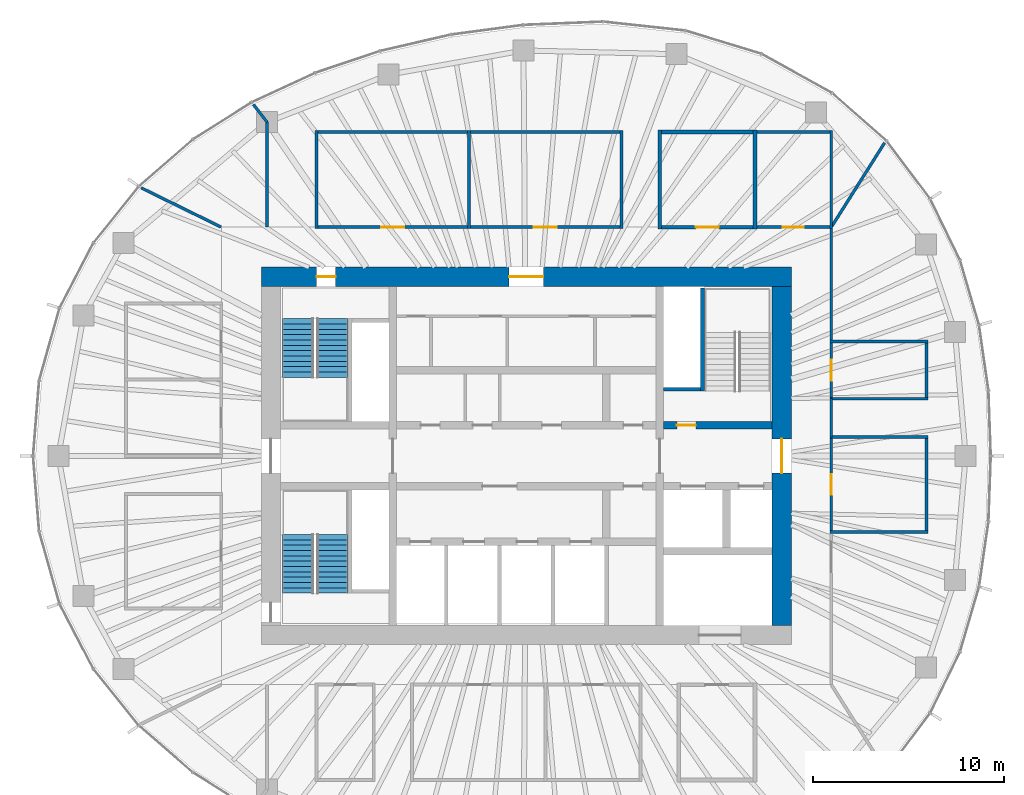
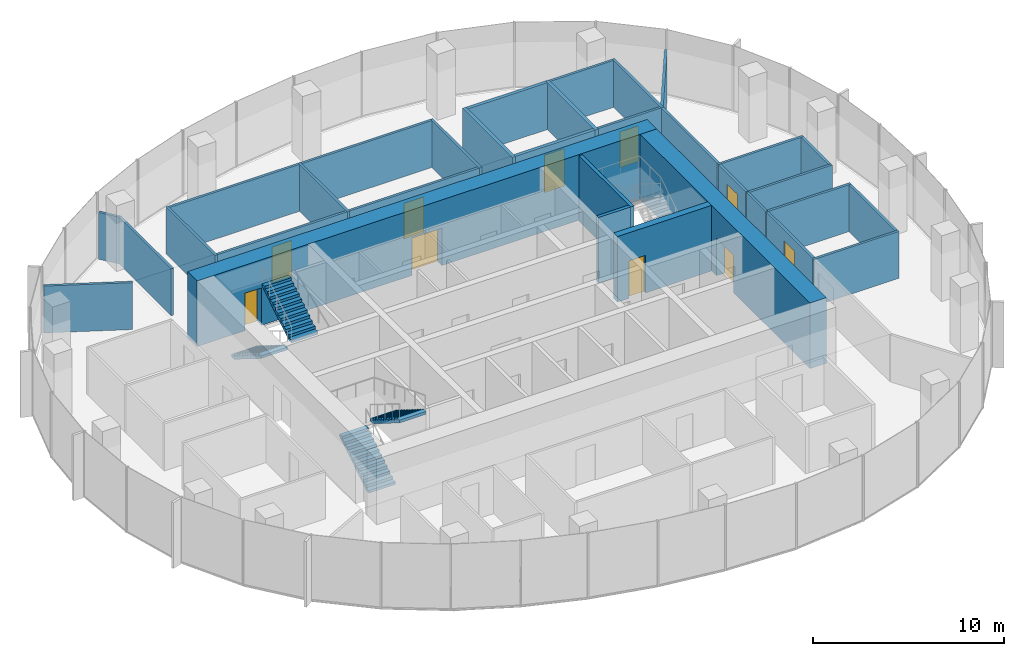
# One storey, part 10 of 12: 33 walls, 10 doors, 4 stair flights, 10 openings, 2 elements without a shape of their own.
"""IFC4 building model written with IfcOpenShell, lengths in metres."""

from ifc_helpers import new_model, si_unit, direction, frame, frame_2d, origin, place, context, subcontext, project, spatial, polyline, rectangle, outline, extrude, material, layer, layer_set, type_object, element, fill, aggregate, save


model = new_model("IFC4")

# Units and contexts
model_context = context("Model", 3, precision=1e-05, world=origin(), true_north=direction((0.0, 1.0)))
body_context = subcontext(model_context, "Body", "Model", "MODEL_VIEW")
ifc_project = project(units=[si_unit("LENGTHUNIT", "METRE"), si_unit("AREAUNIT", "SQUARE_METRE"), si_unit("VOLUMEUNIT", "CUBIC_METRE"), si_unit("PLANEANGLEUNIT", "RADIAN"), si_unit("MASSUNIT", "GRAM", prefix="KILO")], contexts=[model_context])

# Site, building, storey
site_placement = place(None, origin())
site = spatial("IfcSite", under=ifc_project, at=site_placement, CompositionType="ELEMENT")
building_placement = place(site_placement, origin())
building = spatial("IfcBuilding", under=site, at=building_placement, Name="Ghaith Harvest Tower", CompositionType="ELEMENT")
storey_placement = place(building_placement, frame((0.0, 0.0, 300.60009765625)))
storey = spatial("IfcBuildingStorey", under=building, at=storey_placement, Name="L67", CompositionType="ELEMENT", Elevation=300.60009765625)

# Walls
ifc_material_1 = material(Name="Twin-stud gypsum board, acoustic", Category="gypsum")
ifc_layer_1 = layer(ifc_material_1, 0.199951171875)
ifc_layer_set_1 = layer_set([ifc_layer_1], Name="ACOUSTIC PARTITION 200")
wall_type_1 = type_object("IfcWallType", Name="ACOUSTIC PARTITION 200", PredefinedType="PARTITIONING", material=ifc_layer_set_1)
for number, where, z_axis, x_axis, name in (
    (1, (7.0, 11.89990234375, 0.0), (0.0, 0.0, 1.0), (0.0, 1.0, 0.0), "Partition L67 row N2 cross wall 1"),
    (2, (12.0, 11.89990234375, 0.0), (0.0, 0.0, 1.0), (0.0, 1.0, 0.0), "Partition L67 row N2 cross wall 2"),
):
    element("IfcWall", number, at=place(storey_placement, frame(where, z_axis=z_axis, x_axis=x_axis)), inside=storey, type_object=wall_type_1, Name=name, PredefinedType="PARTITIONING", context=body_context, shape_type="SweptSolid", body=[
        extrude(rectangle(XDim=5.2001953125, YDim=0.199951171875, at=frame_2d((2.60009765625, 0.0))), origin(), (0.0, 0.0, 1.0), 3.0),
    ])

# Wall, opening, door
wall_1_placement = place(storey_placement, frame((7.10009765625, 12.0, 0.0), z_axis=(0.0, 0.0, 1.0), x_axis=(1.0, 0.0, 0.0)))
wall_1 = element("IfcWall", 3, at=wall_1_placement, inside=storey, type_object=wall_type_1, Name="Partition L67-03", PredefinedType="PARTITIONING", context=body_context, shape_type="SweptSolid", body=[
    extrude(rectangle(XDim=4.7998046875, YDim=0.199951171875, at=frame_2d((2.39990234375, 0.0))), origin(), (0.0, 0.0, 1.0), 3.0),
])
opening_1_placement = place(wall_1_placement, frame((1.800048828125, 0.0, 0.0)))
opening_1 = element("IfcOpeningElement", 4, at=opening_1_placement, cuts=wall_1, Name="Opening 67-028", PredefinedType="OPENING", context=body_context, shape_type="SweptSolid", body=[
    extrude(rectangle(XDim=1.199951171875, YDim=2.39990234375, at=frame_2d((0.60009765625, 1.199951171875))), frame((0.0, 0.10986328125, 0.0), z_axis=(0.0, -1.0, 0.0), x_axis=(1.0, 0.0, 0.0)), (0.0, 0.0, 1.0), 0.219970703125),
])
ifc_material_2 = material(Name="Timber door", Category="wood")
door_type_1 = type_object("IfcDoorType", Name="D11 GLAZED 1200x2400", OperationType="SINGLE_SWING_LEFT", PredefinedType="DOOR", material=ifc_material_2)
door_1_placement = place(opening_1_placement, origin())
door_1 = element("IfcDoor", 5, at=door_1_placement, inside=storey, type_object=door_type_1, Name="Meeting room door", OperationType="SINGLE_SWING_LEFT", OverallHeight=2.39990234375, OverallWidth=1.199951171875, PredefinedType="DOOR", context=body_context, shape_type="SweptSolid", body=[
    extrude(rectangle(XDim=1.199951171875, YDim=2.39990234375, at=frame_2d((0.60009765625, 1.199951171875))), frame((0.0, 0.02490234375, 0.0), z_axis=(0.0, -1.0, 0.0), x_axis=(1.0, 0.0, 0.0)), (0.0, 0.0, 1.0), 0.050048828125),
])
fill(opening_1, door_1)

# Wall
wall_2_placement = place(storey_placement, frame((7.10009765625, 17.0, 0.0), z_axis=(0.0, 0.0, 1.0), x_axis=(1.0, 0.0, 0.0)))
element("IfcWall", 6, at=wall_2_placement, inside=storey, type_object=wall_type_1, Name="Partition L67-03", PredefinedType="PARTITIONING", context=body_context, shape_type="SweptSolid", body=[
    extrude(rectangle(XDim=4.7998046875, YDim=0.199951171875, at=frame_2d((2.39990234375, 0.0))), origin(), (0.0, 0.0, 1.0), 3.0),
])

# Wall, openings, doors
ifc_material_3 = material(Name="Concrete C50/60", Category="concrete")
ifc_layer_2 = layer(ifc_material_3, 1.0)
ifc_layer_set_2 = layer_set([ifc_layer_2], Name="CORE WALL CW1000")
wall_type_2 = type_object("IfcWallType", Name="CORE WALL CW1000", PredefinedType="SHEAR", material=ifc_layer_set_2)
wall_3_placement = place(storey_placement, frame((13.89990234375, 9.39990234375, 0.0), z_axis=(0.0, 0.0, 1.0), x_axis=(-1.0, 0.0, 0.0)))
wall_3 = element("IfcWall", 7, at=wall_3_placement, inside=storey, type_object=wall_type_2, Name="Core wall N L67", PredefinedType="SHEAR", context=body_context, shape_type="SweptSolid", body=[
    extrude(rectangle(XDim=27.7998046875, YDim=1.0, at=frame_2d((13.89990234375, 0.0))), origin(), (0.0, 0.0, 1.0), 4.199951171875),
])
opening_2_placement = place(wall_3_placement, frame((23.89990234375, 0.0, 0.0)))
opening_2 = element("IfcOpeningElement", 8, at=opening_2_placement, cuts=wall_3, Name="Opening 67-005", PredefinedType="OPENING", context=body_context, shape_type="SweptSolid", body=[
    extrude(rectangle(XDim=1.0, YDim=2.39990234375, at=frame_2d((0.5, 1.199951171875))), frame((0.0, 0.510009765625, 0.0), z_axis=(0.0, -1.0, 0.0), x_axis=(1.0, 0.0, 0.0)), (0.0, 0.0, 1.0), 1.02001953125),
])
opening_3_placement = place(wall_3_placement, frame((13.0, 0.0, 0.0)))
opening_3 = element("IfcOpeningElement", 9, at=opening_3_placement, cuts=wall_3, Name="Opening 67-018", PredefinedType="OPENING", context=body_context, shape_type="SweptSolid", body=[
    extrude(rectangle(XDim=1.800048828125, YDim=2.39990234375, at=frame_2d((0.89990234375, 1.199951171875))), frame((0.0, 0.510009765625, 0.0), z_axis=(0.0, -1.0, 0.0), x_axis=(1.0, 0.0, 0.0)), (0.0, 0.0, 1.0), 1.02001953125),
])
ifc_material_4 = material(Name="Steel fire door", Category="steel")
door_type_2 = type_object("IfcDoorType", Name="D3 FD90 1000x2400", OperationType="SINGLE_SWING_LEFT", PredefinedType="DOOR", material=ifc_material_4)
door_2_placement = place(opening_2_placement, origin())
door_2 = element("IfcDoor", 10, at=door_2_placement, inside=storey, type_object=door_type_2, Name="Stair ST1 door", OperationType="SINGLE_SWING_RIGHT", OverallHeight=2.39990234375, OverallWidth=1.0, PredefinedType="DOOR", context=body_context, shape_type="SweptSolid", body=[
    extrude(rectangle(XDim=1.0, YDim=2.39990234375, at=frame_2d((0.5, 1.199951171875))), frame((0.0, 0.02490234375, 0.0), z_axis=(0.0, -1.0, 0.0), x_axis=(1.0, 0.0, 0.0)), (0.0, 0.0, 1.0), 0.050048828125),
])
fill(opening_2, door_2)
ifc_material_5 = material(Name="Steel fire door", Category="steel")
door_type_3 = type_object("IfcDoorType", Name="D4 FD90 PAIR 1800x2400", OperationType="DOUBLE_DOOR_SINGLE_SWING", PredefinedType="DOOR", material=ifc_material_5)
door_3_placement = place(opening_3_placement, origin())
door_3 = element("IfcDoor", 11, at=door_3_placement, inside=storey, type_object=door_type_3, Name="Core service corridor doors", OperationType="DOUBLE_DOOR_SINGLE_SWING", OverallHeight=2.39990234375, OverallWidth=1.800048828125, PredefinedType="DOOR", context=body_context, shape_type="SweptSolid", body=[
    extrude(rectangle(XDim=1.800048828125, YDim=2.39990234375, at=frame_2d((0.89990234375, 1.199951171875))), frame((0.0, 0.02490234375, 0.0), z_axis=(0.0, -1.0, 0.0), x_axis=(1.0, 0.0, 0.0)), (0.0, 0.0, 1.0), 0.050048828125),
])
fill(opening_3, door_3)

# Wall, opening, door
wall_4_placement = place(storey_placement, frame((13.39990234375, -8.89990234375, 0.0), z_axis=(0.0, 0.0, 1.0), x_axis=(0.0, 1.0, 0.0)))
wall_4 = element("IfcWall", 12, at=wall_4_placement, inside=storey, type_object=wall_type_2, Name="Core wall E L67", PredefinedType="SHEAR", context=body_context, shape_type="SweptSolid", body=[
    extrude(rectangle(XDim=17.7998046875, YDim=1.0, at=frame_2d((8.89990234375, 0.0))), origin(), (0.0, 0.0, 1.0), 4.199951171875),
])
opening_4_placement = place(wall_4_placement, frame((8.0, 0.0, 0.0)))
opening_4 = element("IfcOpeningElement", 13, at=opening_4_placement, cuts=wall_4, Name="Opening 67-002", PredefinedType="OPENING", context=body_context, shape_type="SweptSolid", body=[
    extrude(rectangle(XDim=1.800048828125, YDim=2.39990234375, at=frame_2d((0.89990234375, 1.199951171875))), frame((0.0, 0.510009765625, 0.0), z_axis=(0.0, -1.0, 0.0), x_axis=(1.0, 0.0, 0.0)), (0.0, 0.0, 1.0), 1.02001953125),
])
door_4_placement = place(opening_4_placement, origin())
door_4 = element("IfcDoor", 14, at=door_4_placement, inside=storey, type_object=door_type_3, Name="Fire-fighting lobby doors", OperationType="DOUBLE_DOOR_SINGLE_SWING", OverallHeight=2.39990234375, OverallWidth=1.800048828125, PredefinedType="DOOR", context=body_context, shape_type="SweptSolid", body=[
    extrude(rectangle(XDim=1.800048828125, YDim=2.39990234375, at=frame_2d((0.89990234375, 1.199951171875))), frame((0.0, 0.02490234375, 0.0), z_axis=(0.0, -1.0, 0.0), x_axis=(1.0, 0.0, 0.0)), (0.0, 0.0, 1.0), 0.050048828125),
])
fill(opening_4, door_4)

# Walls
ifc_material_6 = material(Name="Gypsum board on steel studs", Category="steel")
ifc_layer_3 = layer(ifc_material_6, 0.14990234375)
ifc_layer_set_3 = layer_set([ifc_layer_3], Name="PARTITION 150")
wall_type_3 = type_object("IfcWallType", Name="PARTITION 150", PredefinedType="PARTITIONING", material=ifc_layer_set_3)
for number, where, z_axis, x_axis, name in (
    (15, (-11.0, 11.925048828125, 0.0), (0.0, 0.0, 1.0), (0.0, 1.0, 0.0), "Partition L67 row N1 cross wall 1"),
    (16, (-3.0, 11.925048828125, 0.0), (0.0, 0.0, 1.0), (0.0, 1.0, 0.0), "Partition L67 row N1 cross wall 2"),
    (17, (5.0, 11.925048828125, 0.0), (0.0, 0.0, 1.0), (0.0, 1.0, 0.0), "Partition L67 row N1 cross wall 3"),
):
    element("IfcWall", number, at=place(storey_placement, frame(where, z_axis=z_axis, x_axis=x_axis)), inside=storey, type_object=wall_type_3, Name=name, PredefinedType="PARTITIONING", context=body_context, shape_type="SweptSolid", body=[
        extrude(rectangle(XDim=5.14990234375, YDim=0.14990234375, at=frame_2d((2.574951171875, 0.0))), origin(), (0.0, 0.0, 1.0), 3.0),
    ])

# Wall, opening, door
wall_5_placement = place(storey_placement, frame((-10.925048828125, 12.0, 0.0), z_axis=(0.0, 0.0, 1.0), x_axis=(1.0, 0.0, 0.0)))
wall_5 = element("IfcWall", 18, at=wall_5_placement, inside=storey, type_object=wall_type_3, Name="Partition L67-01", PredefinedType="PARTITIONING", context=body_context, shape_type="SweptSolid", body=[
    extrude(rectangle(XDim=7.85009765625, YDim=0.14990234375, at=frame_2d((3.925048828125, 0.0))), origin(), (0.0, 0.0, 1.0), 3.0),
])
opening_5_placement = place(wall_5_placement, frame((3.324951171875, 0.0, 0.0)))
opening_5 = element("IfcOpeningElement", 19, at=opening_5_placement, cuts=wall_5, Name="Opening 67-026", PredefinedType="OPENING", context=body_context, shape_type="SweptSolid", body=[
    extrude(rectangle(XDim=1.199951171875, YDim=2.300048828125, at=frame_2d((0.60009765625, 1.14990234375))), frame((0.0, 0.0849609375, 0.0), z_axis=(0.0, -1.0, 0.0), x_axis=(1.0, 0.0, 0.0)), (0.0, 0.0, 1.0), 0.169921875),
])
ifc_material_7 = material(Name="Timber door with vision panel", Category="wood")
door_type_4 = type_object("IfcDoorType", Name="D15 LABORATORY 1200x2300", OperationType="SINGLE_SWING_LEFT", PredefinedType="DOOR", material=ifc_material_7)
door_5_placement = place(opening_5_placement, origin())
door_5 = element("IfcDoor", 20, at=door_5_placement, inside=storey, type_object=door_type_4, Name="Growing laboratory door", OperationType="SINGLE_SWING_LEFT", OverallHeight=2.300048828125, OverallWidth=1.199951171875, PredefinedType="DOOR", context=body_context, shape_type="SweptSolid", body=[
    extrude(rectangle(XDim=1.199951171875, YDim=2.300048828125, at=frame_2d((0.60009765625, 1.14990234375))), frame((0.0, 0.02490234375, 0.0), z_axis=(0.0, -1.0, 0.0), x_axis=(1.0, 0.0, 0.0)), (0.0, 0.0, 1.0), 0.050048828125),
])
fill(opening_5, door_5)

# Wall
wall_6_placement = place(storey_placement, frame((-10.925048828125, 17.0, 0.0), z_axis=(0.0, 0.0, 1.0), x_axis=(1.0, 0.0, 0.0)))
element("IfcWall", 21, at=wall_6_placement, inside=storey, type_object=wall_type_3, Name="Partition L67-01", PredefinedType="PARTITIONING", context=body_context, shape_type="SweptSolid", body=[
    extrude(rectangle(XDim=7.85009765625, YDim=0.14990234375, at=frame_2d((3.925048828125, 0.0))), origin(), (0.0, 0.0, 1.0), 3.0),
])

# Wall, opening, door
wall_7_placement = place(storey_placement, frame((-2.925048828125, 12.0, 0.0), z_axis=(0.0, 0.0, 1.0), x_axis=(1.0, 0.0, 0.0)))
wall_7 = element("IfcWall", 22, at=wall_7_placement, inside=storey, type_object=wall_type_3, Name="Partition L67-02", PredefinedType="PARTITIONING", context=body_context, shape_type="SweptSolid", body=[
    extrude(rectangle(XDim=7.85009765625, YDim=0.14990234375, at=frame_2d((3.925048828125, 0.0))), origin(), (0.0, 0.0, 1.0), 3.0),
])
opening_6_placement = place(wall_7_placement, frame((3.324951171875, 0.0, 0.0)))
opening_6 = element("IfcOpeningElement", 23, at=opening_6_placement, cuts=wall_7, Name="Opening 67-027", PredefinedType="OPENING", context=body_context, shape_type="SweptSolid", body=[
    extrude(rectangle(XDim=1.199951171875, YDim=2.300048828125, at=frame_2d((0.60009765625, 1.14990234375))), frame((0.0, 0.0849609375, 0.0), z_axis=(0.0, -1.0, 0.0), x_axis=(1.0, 0.0, 0.0)), (0.0, 0.0, 1.0), 0.169921875),
])
door_6_placement = place(opening_6_placement, origin())
door_6 = element("IfcDoor", 24, at=door_6_placement, inside=storey, type_object=door_type_4, Name="Growing laboratory door", OperationType="SINGLE_SWING_LEFT", OverallHeight=2.300048828125, OverallWidth=1.199951171875, PredefinedType="DOOR", context=body_context, shape_type="SweptSolid", body=[
    extrude(rectangle(XDim=1.199951171875, YDim=2.300048828125, at=frame_2d((0.60009765625, 1.14990234375))), frame((0.0, 0.02490234375, 0.0), z_axis=(0.0, -1.0, 0.0), x_axis=(1.0, 0.0, 0.0)), (0.0, 0.0, 1.0), 0.050048828125),
])
fill(opening_6, door_6)

# Walls
wall_8_placement = place(storey_placement, frame((-2.925048828125, 17.0, 0.0), z_axis=(0.0, 0.0, 1.0), x_axis=(1.0, 0.0, 0.0)))
element("IfcWall", 25, at=wall_8_placement, inside=storey, type_object=wall_type_3, Name="Partition L67-02", PredefinedType="PARTITIONING", context=body_context, shape_type="SweptSolid", body=[
    extrude(rectangle(XDim=7.85009765625, YDim=0.14990234375, at=frame_2d((3.925048828125, 0.0))), origin(), (0.0, 0.0, 1.0), 3.0),
])
wall_9_placement = place(storey_placement, frame((16.0, 11.925048828125, 0.0), z_axis=(0.0, 0.0, 1.0), x_axis=(0.0, 1.0, 0.0)))
element("IfcWall", 26, at=wall_9_placement, inside=storey, type_object=wall_type_3, Name="Partition L67 row N2 cross wall 3", PredefinedType="PARTITIONING", context=body_context, shape_type="SweptSolid", body=[
    extrude(rectangle(XDim=5.14990234375, YDim=0.14990234375, at=frame_2d((2.574951171875, 0.0))), origin(), (0.0, 0.0, 1.0), 3.0),
])

# Wall, opening, door
wall_10_placement = place(storey_placement, frame((12.10009765625, 12.0, 0.0), z_axis=(0.0, 0.0, 1.0), x_axis=(1.0, 0.0, 0.0)))
wall_10 = element("IfcWall", 27, at=wall_10_placement, inside=storey, type_object=wall_type_3, Name="Partition L67-04", PredefinedType="PARTITIONING", context=body_context, shape_type="SweptSolid", body=[
    extrude(rectangle(XDim=3.824951171875, YDim=0.14990234375, at=frame_2d((1.91259765625, 0.0))), origin(), (0.0, 0.0, 1.0), 3.0),
])
opening_7_placement = place(wall_10_placement, frame((1.362548828125, 0.0, 0.0)))
opening_7 = element("IfcOpeningElement", 28, at=opening_7_placement, cuts=wall_10, Name="Opening 67-029", PredefinedType="OPENING", context=body_context, shape_type="SweptSolid", body=[
    extrude(rectangle(XDim=1.10009765625, YDim=2.300048828125, at=frame_2d((0.550048828125, 1.14990234375))), frame((0.0, 0.0849609375, 0.0), z_axis=(0.0, -1.0, 0.0), x_axis=(1.0, 0.0, 0.0)), (0.0, 0.0, 1.0), 0.169921875),
])
ifc_material_8 = material(Name="Timber-framed glazed door", Category="wood")
door_type_5 = type_object("IfcDoorType", Name="D12 GLAZED OFFICE 1100x2300", OperationType="SINGLE_SWING_LEFT", PredefinedType="DOOR", material=ifc_material_8)
door_7_placement = place(opening_7_placement, origin())
door_7 = element("IfcDoor", 29, at=door_7_placement, inside=storey, type_object=door_type_5, Name="Office door", OperationType="SINGLE_SWING_LEFT", OverallHeight=2.300048828125, OverallWidth=1.10009765625, PredefinedType="DOOR", context=body_context, shape_type="SweptSolid", body=[
    extrude(rectangle(XDim=1.10009765625, YDim=2.300048828125, at=frame_2d((0.550048828125, 1.14990234375))), frame((0.0, 0.02490234375, 0.0), z_axis=(0.0, -1.0, 0.0), x_axis=(1.0, 0.0, 0.0)), (0.0, 0.0, 1.0), 0.050048828125),
])
fill(opening_7, door_7)

# Walls
wall_11_placement = place(storey_placement, frame((12.10009765625, 17.0, 0.0), z_axis=(0.0, 0.0, 1.0), x_axis=(1.0, 0.0, 0.0)))
element("IfcWall", 30, at=wall_11_placement, inside=storey, type_object=wall_type_3, Name="Partition L67-04", PredefinedType="PARTITIONING", context=body_context, shape_type="SweptSolid", body=[
    extrude(rectangle(XDim=3.824951171875, YDim=0.14990234375, at=frame_2d((1.91259765625, 0.0))), origin(), (0.0, 0.0, 1.0), 3.0),
])
for number, where, z_axis, x_axis, name in (
    (31, (15.925048828125, -4.0, 0.0), (0.0, 0.0, 1.0), (1.0, 0.0, 0.0), "Partition L67 row E6 cross wall 1"),
    (32, (15.925048828125, 1.0, 0.0), (0.0, 0.0, 1.0), (1.0, 0.0, 0.0), "Partition L67 row E6 cross wall 2"),
):
    element("IfcWall", number, at=place(storey_placement, frame(where, z_axis=z_axis, x_axis=x_axis)), inside=storey, type_object=wall_type_3, Name=name, PredefinedType="PARTITIONING", context=body_context, shape_type="SweptSolid", body=[
        extrude(rectangle(XDim=5.14990234375, YDim=0.14990234375, at=frame_2d((2.574951171875, 0.0))), origin(), (0.0, 0.0, 1.0), 3.0),
    ])

# Wall, opening, door
wall_12_placement = place(storey_placement, frame((16.0, -3.925048828125, 0.0), z_axis=(0.0, 0.0, 1.0), x_axis=(0.0, 1.0, 0.0)))
wall_12 = element("IfcWall", 33, at=wall_12_placement, inside=storey, type_object=wall_type_3, Name="Partition L67-09", PredefinedType="PARTITIONING", context=body_context, shape_type="SweptSolid", body=[
    extrude(rectangle(XDim=4.85009765625, YDim=0.14990234375, at=frame_2d((2.425048828125, 0.0))), origin(), (0.0, 0.0, 1.0), 3.0),
])
opening_8_placement = place(wall_12_placement, frame((1.875, 0.0, 0.0)))
opening_8 = element("IfcOpeningElement", 34, at=opening_8_placement, cuts=wall_12, Name="Opening 67-034", PredefinedType="OPENING", context=body_context, shape_type="SweptSolid", body=[
    extrude(rectangle(XDim=1.10009765625, YDim=2.300048828125, at=frame_2d((0.550048828125, 1.14990234375))), frame((0.0, 0.0849609375, 0.0), z_axis=(0.0, -1.0, 0.0), x_axis=(1.0, 0.0, 0.0)), (0.0, 0.0, 1.0), 0.169921875),
])
door_8_placement = place(opening_8_placement, origin())
door_8 = element("IfcDoor", 35, at=door_8_placement, inside=storey, type_object=door_type_5, Name="Research office door", OperationType="SINGLE_SWING_LEFT", OverallHeight=2.300048828125, OverallWidth=1.10009765625, PredefinedType="DOOR", context=body_context, shape_type="SweptSolid", body=[
    extrude(rectangle(XDim=1.10009765625, YDim=2.300048828125, at=frame_2d((0.550048828125, 1.14990234375))), frame((0.0, 0.02490234375, 0.0), z_axis=(0.0, -1.0, 0.0), x_axis=(1.0, 0.0, 0.0)), (0.0, 0.0, 1.0), 0.050048828125),
])
fill(opening_8, door_8)

# Walls
wall_13_placement = place(storey_placement, frame((21.0, -3.925048828125, 0.0), z_axis=(0.0, 0.0, 1.0), x_axis=(0.0, 1.0, 0.0)))
element("IfcWall", 36, at=wall_13_placement, inside=storey, type_object=wall_type_3, Name="Partition L67-09", PredefinedType="PARTITIONING", context=body_context, shape_type="SweptSolid", body=[
    extrude(rectangle(XDim=4.85009765625, YDim=0.14990234375, at=frame_2d((2.425048828125, 0.0))), origin(), (0.0, 0.0, 1.0), 3.0),
])
for number, where, z_axis, x_axis, name in (
    (37, (15.925048828125, 3.0, 0.0), (0.0, 0.0, 1.0), (1.0, 0.0, 0.0), "Partition L67 row E8 cross wall 1"),
    (38, (15.925048828125, 6.0, 0.0), (0.0, 0.0, 1.0), (1.0, 0.0, 0.0), "Partition L67 row E8 cross wall 2"),
):
    element("IfcWall", number, at=place(storey_placement, frame(where, z_axis=z_axis, x_axis=x_axis)), inside=storey, type_object=wall_type_3, Name=name, PredefinedType="PARTITIONING", context=body_context, shape_type="SweptSolid", body=[
        extrude(rectangle(XDim=5.14990234375, YDim=0.14990234375, at=frame_2d((2.574951171875, 0.0))), origin(), (0.0, 0.0, 1.0), 3.0),
    ])

# Wall, opening, door
wall_14_placement = place(storey_placement, frame((16.0, 3.074951171875, 0.0), z_axis=(0.0, 0.0, 1.0), x_axis=(0.0, 1.0, 0.0)))
wall_14 = element("IfcWall", 39, at=wall_14_placement, inside=storey, type_object=wall_type_3, Name="Partition L67-11", PredefinedType="PARTITIONING", context=body_context, shape_type="SweptSolid", body=[
    extrude(rectangle(XDim=2.85009765625, YDim=0.14990234375, at=frame_2d((1.425048828125, 0.0))), origin(), (0.0, 0.0, 1.0), 3.0),
])
opening_9_placement = place(wall_14_placement, frame((0.875, 0.0, 0.0)))
opening_9 = element("IfcOpeningElement", 40, at=opening_9_placement, cuts=wall_14, Name="Opening 67-036", PredefinedType="OPENING", context=body_context, shape_type="SweptSolid", body=[
    extrude(rectangle(XDim=1.10009765625, YDim=2.300048828125, at=frame_2d((0.550048828125, 1.14990234375))), frame((0.0, 0.0849609375, 0.0), z_axis=(0.0, -1.0, 0.0), x_axis=(1.0, 0.0, 0.0)), (0.0, 0.0, 1.0), 0.169921875),
])
door_9_placement = place(opening_9_placement, origin())
door_9 = element("IfcDoor", 41, at=door_9_placement, inside=storey, type_object=door_type_5, Name="Data office door", OperationType="SINGLE_SWING_LEFT", OverallHeight=2.300048828125, OverallWidth=1.10009765625, PredefinedType="DOOR", context=body_context, shape_type="SweptSolid", body=[
    extrude(rectangle(XDim=1.10009765625, YDim=2.300048828125, at=frame_2d((0.550048828125, 1.14990234375))), frame((0.0, 0.02490234375, 0.0), z_axis=(0.0, -1.0, 0.0), x_axis=(1.0, 0.0, 0.0)), (0.0, 0.0, 1.0), 0.050048828125),
])
fill(opening_9, door_9)

# Walls
wall_15_placement = place(storey_placement, frame((21.0, 3.074951171875, 0.0), z_axis=(0.0, 0.0, 1.0), x_axis=(0.0, 1.0, 0.0)))
element("IfcWall", 42, at=wall_15_placement, inside=storey, type_object=wall_type_3, Name="Partition L67-11", PredefinedType="PARTITIONING", context=body_context, shape_type="SweptSolid", body=[
    extrude(rectangle(XDim=2.85009765625, YDim=0.14990234375, at=frame_2d((1.425048828125, 0.0))), origin(), (0.0, 0.0, 1.0), 3.0),
])
wall_16_placement = place(storey_placement, frame((-16.017822265625, 12.0087890625, 0.0), z_axis=(0.0, 0.0, 1.0), x_axis=(-0.897771840996, 0.440460805879, 0.0)))
element("IfcWall", 43, at=wall_16_placement, inside=storey, type_object=wall_type_3, Name="Partition L67 zone division", PredefinedType="PARTITIONING", context=body_context, shape_type="SweptSolid", body=[
    extrude(rectangle(XDim=4.66552734375, YDim=0.14990234375, at=frame_2d((2.332763671875, 0.0))), origin(), (0.0, 0.0, 1.0), 3.0),
])
wall_17_placement = place(storey_placement, frame((16.02001953125, 12.03173828125, 0.0), z_axis=(0.0, 0.0, 1.0), x_axis=(0.534176584227, 0.845372921771, 0.0)))
element("IfcWall", 44, at=wall_17_placement, inside=storey, type_object=wall_type_3, Name="Partition L67 zone division", PredefinedType="PARTITIONING", context=body_context, shape_type="SweptSolid", body=[
    extrude(rectangle(XDim=5.202880859375, YDim=0.14990234375, at=frame_2d((2.6015625, 0.0))), origin(), (0.0, 0.0, 1.0), 3.0),
])
wall_18_placement = place(storey_placement, frame((-13.594970703125, 12.02001953125, 0.0), z_axis=(0.0, 0.0, 1.0), x_axis=(0.0, 1.0, 0.0)))
element("IfcWall", 45, at=wall_18_placement, inside=storey, type_object=wall_type_3, Name="Partition L67 zone division", PredefinedType="PARTITIONING", context=body_context, shape_type="SweptSolid", body=[
    extrude(rectangle(XDim=5.48486328125, YDim=0.14990234375, at=frame_2d((2.742431640625, 0.0))), origin(), (0.0, 0.0, 1.0), 3.0),
])
wall_19_placement = place(storey_placement, frame((-13.594970703125, 17.5048828125, 0.0), z_axis=(0.0, 0.0, 1.0), x_axis=(-0.61332442804, 0.789831086986, 0.0)))
element("IfcWall", 46, at=wall_19_placement, inside=storey, type_object=wall_type_3, Name="Partition L67 zone division", PredefinedType="PARTITIONING", context=body_context, shape_type="SweptSolid", body=[
    extrude(rectangle(XDim=1.179931640625, YDim=0.14990234375, at=frame_2d((0.58984375, 0.0))), origin(), (0.0, 0.0, 1.0), 3.0),
])
wall_20_placement = place(storey_placement, frame((16.0, 1.0, 0.0), z_axis=(0.0, 0.0, 1.0), x_axis=(0.0, 1.0, 0.0)))
element("IfcWall", 47, at=wall_20_placement, inside=storey, type_object=wall_type_3, Name="Partition L67 zone enclosure", PredefinedType="PARTITIONING", context=body_context, shape_type="SweptSolid", body=[
    extrude(rectangle(XDim=2.0, YDim=0.14990234375, at=frame_2d((1.0, 0.0))), origin(), (0.0, 0.0, 1.0), 3.0),
])
wall_21_placement = place(storey_placement, frame((16.0, 6.0, 0.0), z_axis=(0.0, 0.0, 1.0), x_axis=(0.0, 1.0, 0.0)))
element("IfcWall", 48, at=wall_21_placement, inside=storey, type_object=wall_type_3, Name="Partition L67 zone enclosure", PredefinedType="PARTITIONING", context=body_context, shape_type="SweptSolid", body=[
    extrude(rectangle(XDim=6.0, YDim=0.14990234375, at=frame_2d((3.0, 0.0))), origin(), (0.0, 0.0, 1.0), 3.0),
])

# Wall, opening, door
ifc_material_9 = material(Name="Concrete C70/85", Category="concrete")
ifc_layer_4 = layer(ifc_material_9, 0.39990234375)
ifc_layer_set_4 = layer_set([ifc_layer_4], Name="SHAFT WALL 400")
wall_type_4 = type_object("IfcWallType", Name="SHAFT WALL 400", PredefinedType="SHEAR", material=ifc_layer_set_4)
wall_22_placement = place(storey_placement, frame((7.199951171875, 1.60009765625, 0.0), z_axis=(0.0, 0.0, 1.0), x_axis=(1.0, 0.0, 0.0)))
wall_22 = element("IfcWall", 49, at=wall_22_placement, inside=storey, type_object=wall_type_4, Name="Shaft wall EN L67", PredefinedType="SHEAR", context=body_context, shape_type="SweptSolid", body=[
    extrude(rectangle(XDim=5.699951171875, YDim=0.39990234375, at=frame_2d((2.85009765625, 0.0))), origin(), (0.0, 0.0, 1.0), 4.199951171875),
])
opening_10_placement = place(wall_22_placement, frame((0.699951171875, 0.0, 0.0)))
opening_10 = element("IfcOpeningElement", 50, at=opening_10_placement, cuts=wall_22, Name="Opening 67-007", PredefinedType="OPENING", context=body_context, shape_type="SweptSolid", body=[
    extrude(rectangle(XDim=1.0, YDim=2.39990234375, at=frame_2d((0.5, 1.199951171875))), frame((0.0, 0.2099609375, 0.0), z_axis=(0.0, -1.0, 0.0), x_axis=(1.0, 0.0, 0.0)), (0.0, 0.0, 1.0), 0.419921875),
])
door_10_placement = place(opening_10_placement, origin())
door_10 = element("IfcDoor", 51, at=door_10_placement, inside=storey, type_object=door_type_2, Name="Stair ST2 door", OperationType="SINGLE_SWING_LEFT", OverallHeight=2.39990234375, OverallWidth=1.0, PredefinedType="DOOR", context=body_context, shape_type="SweptSolid", body=[
    extrude(rectangle(XDim=1.0, YDim=2.39990234375, at=frame_2d((0.5, 1.199951171875))), frame((0.0, 0.02490234375, 0.0), z_axis=(0.0, -1.0, 0.0), x_axis=(1.0, 0.0, 0.0)), (0.0, 0.0, 1.0), 0.050048828125),
])
fill(opening_10, door_10)

# Walls
ifc_material_10 = material(Name="Concrete C40/50", Category="concrete")
ifc_layer_5 = layer(ifc_material_10, 0.199951171875)
ifc_layer_set_5 = layer_set([ifc_layer_5], Name="STAIR SPINE WALL RC200")
wall_type_5 = type_object("IfcWallType", Name="STAIR SPINE WALL RC200", PredefinedType="SOLIDWALL", material=ifc_layer_set_5)
wall_23_placement = place(storey_placement, frame((9.25, 3.39990234375, 0.0), z_axis=(0.0, 0.0, 1.0), x_axis=(0.0, 1.0, 0.0)))
element("IfcWall", 52, at=wall_23_placement, inside=storey, type_object=wall_type_5, Name="Stair ST2 spine wall L67", PredefinedType="SOLIDWALL", context=body_context, shape_type="SweptSolid", body=[
    extrude(rectangle(XDim=5.400146484375, YDim=0.199951171875, at=frame_2d((2.7001953125, 0.0))), origin(), (0.0, 0.0, 1.0), 4.199951171875),
])
wall_24_placement = place(storey_placement, frame((9.14990234375, 3.5, 0.0), z_axis=(0.0, 0.0, 1.0), x_axis=(-1.0, 0.0, 0.0)))
element("IfcWall", 53, at=wall_24_placement, inside=storey, type_object=wall_type_5, Name="Stair ST2 spine wall return L67", PredefinedType="SOLIDWALL", context=body_context, shape_type="SweptSolid", body=[
    extrude(rectangle(XDim=1.949951171875, YDim=0.199951171875, at=frame_2d((0.97509765625, 0.0))), origin(), (0.0, 0.0, 1.0), 4.199951171875),
])

# Stair, stair flights
ifc_material_11 = material(Name="Concrete C40/50, precast", Category="concrete")
stair_type = type_object("IfcStairType", Name="CORE STAIR 24R", PredefinedType="HALF_TURN_STAIR", material=ifc_material_11)
stair_1_placement = place(storey_placement, origin())
stair_1 = element("IfcStair", 54, at=stair_1_placement, inside=storey, type_object=stair_type, Name="Stair ST1 L67", PredefinedType="HALF_TURN_STAIR")
ifc_material_12 = material(Name="Concrete C40/50, precast", Category="concrete")
stair_flight_type = type_object("IfcStairFlightType", Name="CORE FLIGHT 12R 1600", PredefinedType="STRAIGHT", material=ifc_material_12)
stair_flight_1_placement = place(storey_placement, frame((-12.0, 7.199951171875, 0.0), z_axis=(0.0, 0.0, 1.0), x_axis=(0.0, -1.0, 0.0)))
stair_flight_1 = element("IfcStairFlight", 55, at=stair_flight_1_placement, type_object=stair_flight_type, Name="ST1 flight 1", NumberOfRisers=12, NumberOfTreads=11, PredefinedType="STRAIGHT", RiserHeight=0.175, TreadLength=0.28, context=body_context, shape_type="SweptSolid", body=[
    extrude(outline(polyline([(0.0, 0.0), (0.0, 0.175048828125), (0.280029296875, 0.175048828125), (0.280029296875, 0.35009765625), (0.56005859375, 0.35009765625), (0.56005859375, 0.52490234375), (0.840087890625, 0.52490234375), (0.840087890625, 0.699951171875), (1.1201171875, 0.699951171875), (1.1201171875, 0.875), (1.39990234375, 0.875), (1.39990234375, 1.050048828125), (1.679931640625, 1.050048828125), (1.679931640625, 1.22509765625), (1.9599609375, 1.22509765625), (1.9599609375, 1.39990234375), (2.239990234375, 1.39990234375), (2.239990234375, 1.574951171875), (2.52001953125, 1.574951171875), (2.52001953125, 1.75), (2.800048828125, 1.75), (2.800048828125, 1.925048828125), (3.080078125, 1.925048828125), (3.080078125, 2.10009765625), (3.080078125, 1.748291015625), (0.28271484375, 0.0), (0.0, 0.0)])), frame((0.0, 0.800048828125, 0.0), z_axis=(0.0, -1.0, 0.0), x_axis=(1.0, 0.0, 0.0)), (0.0, 0.0, 1.0), 1.60009765625),
])
stair_flight_2_placement = place(storey_placement, frame((-10.14990234375, 4.1201171875, 2.099853515625), z_axis=(0.0, 0.0, 1.0), x_axis=(0.0, 1.0, 0.0)))
stair_flight_2 = element("IfcStairFlight", 56, at=stair_flight_2_placement, type_object=stair_flight_type, Name="ST1 flight 2", NumberOfRisers=12, NumberOfTreads=11, PredefinedType="STRAIGHT", RiserHeight=0.175, TreadLength=0.28, context=body_context, shape_type="SweptSolid", body=[
    extrude(outline(polyline([(0.0, 0.0), (0.0, 0.175048828125), (0.280029296875, 0.175048828125), (0.280029296875, 0.35009765625), (0.56005859375, 0.35009765625), (0.56005859375, 0.52490234375), (0.840087890625, 0.52490234375), (0.840087890625, 0.699951171875), (1.1201171875, 0.699951171875), (1.1201171875, 0.875), (1.39990234375, 0.875), (1.39990234375, 1.050048828125), (1.679931640625, 1.050048828125), (1.679931640625, 1.22509765625), (1.9599609375, 1.22509765625), (1.9599609375, 1.39990234375), (2.239990234375, 1.39990234375), (2.239990234375, 1.574951171875), (2.52001953125, 1.574951171875), (2.52001953125, 1.75), (2.800048828125, 1.75), (2.800048828125, 1.925048828125), (3.080078125, 1.925048828125), (3.080078125, 2.10009765625), (3.080078125, 1.748291015625), (0.28271484375, 0.0), (0.0, 0.0)])), frame((0.0, 0.800048828125, 0.0), z_axis=(0.0, -1.0, 0.0), x_axis=(1.0, 0.0, 0.0)), (0.0, 0.0, 1.0), 1.60009765625),
])
aggregate(stair_1, [stair_flight_1, stair_flight_2])

stair_2_placement = place(storey_placement, origin())
stair_2 = element("IfcStair", 57, at=stair_2_placement, inside=storey, type_object=stair_type, Name="Stair ST3 L67", PredefinedType="HALF_TURN_STAIR")
stair_flight_3_placement = place(storey_placement, frame((-12.0, -7.199951171875, 0.0), z_axis=(0.0, 0.0, 1.0), x_axis=(0.0, 1.0, 0.0)))
stair_flight_3 = element("IfcStairFlight", 58, at=stair_flight_3_placement, type_object=stair_flight_type, Name="ST3 flight 1", NumberOfRisers=12, NumberOfTreads=11, PredefinedType="STRAIGHT", RiserHeight=0.175, TreadLength=0.28, context=body_context, shape_type="SweptSolid", body=[
    extrude(outline(polyline([(0.0, 0.0), (0.0, 0.175048828125), (0.280029296875, 0.175048828125), (0.280029296875, 0.35009765625), (0.56005859375, 0.35009765625), (0.56005859375, 0.52490234375), (0.840087890625, 0.52490234375), (0.840087890625, 0.699951171875), (1.1201171875, 0.699951171875), (1.1201171875, 0.875), (1.39990234375, 0.875), (1.39990234375, 1.050048828125), (1.679931640625, 1.050048828125), (1.679931640625, 1.22509765625), (1.9599609375, 1.22509765625), (1.9599609375, 1.39990234375), (2.239990234375, 1.39990234375), (2.239990234375, 1.574951171875), (2.52001953125, 1.574951171875), (2.52001953125, 1.75), (2.800048828125, 1.75), (2.800048828125, 1.925048828125), (3.080078125, 1.925048828125), (3.080078125, 2.10009765625), (3.080078125, 1.748291015625), (0.28271484375, 0.0), (0.0, 0.0)])), frame((0.0, 0.800048828125, 0.0), z_axis=(0.0, -1.0, 0.0), x_axis=(1.0, 0.0, 0.0)), (0.0, 0.0, 1.0), 1.60009765625),
])
stair_flight_4_placement = place(storey_placement, frame((-10.14990234375, -4.1201171875, 2.099853515625), z_axis=(0.0, 0.0, 1.0), x_axis=(0.0, -1.0, 0.0)))
stair_flight_4 = element("IfcStairFlight", 59, at=stair_flight_4_placement, type_object=stair_flight_type, Name="ST3 flight 2", NumberOfRisers=12, NumberOfTreads=11, PredefinedType="STRAIGHT", RiserHeight=0.175, TreadLength=0.28, context=body_context, shape_type="SweptSolid", body=[
    extrude(outline(polyline([(0.0, 0.0), (0.0, 0.175048828125), (0.280029296875, 0.175048828125), (0.280029296875, 0.35009765625), (0.56005859375, 0.35009765625), (0.56005859375, 0.52490234375), (0.840087890625, 0.52490234375), (0.840087890625, 0.699951171875), (1.1201171875, 0.699951171875), (1.1201171875, 0.875), (1.39990234375, 0.875), (1.39990234375, 1.050048828125), (1.679931640625, 1.050048828125), (1.679931640625, 1.22509765625), (1.9599609375, 1.22509765625), (1.9599609375, 1.39990234375), (2.239990234375, 1.39990234375), (2.239990234375, 1.574951171875), (2.52001953125, 1.574951171875), (2.52001953125, 1.75), (2.800048828125, 1.75), (2.800048828125, 1.925048828125), (3.080078125, 1.925048828125), (3.080078125, 2.10009765625), (3.080078125, 1.748291015625), (0.28271484375, 0.0), (0.0, 0.0)])), frame((0.0, 0.800048828125, 0.0), z_axis=(0.0, -1.0, 0.0), x_axis=(1.0, 0.0, 0.0)), (0.0, 0.0, 1.0), 1.60009765625),
])
aggregate(stair_2, [stair_flight_3, stair_flight_4])

save(model, "model.ifc")
